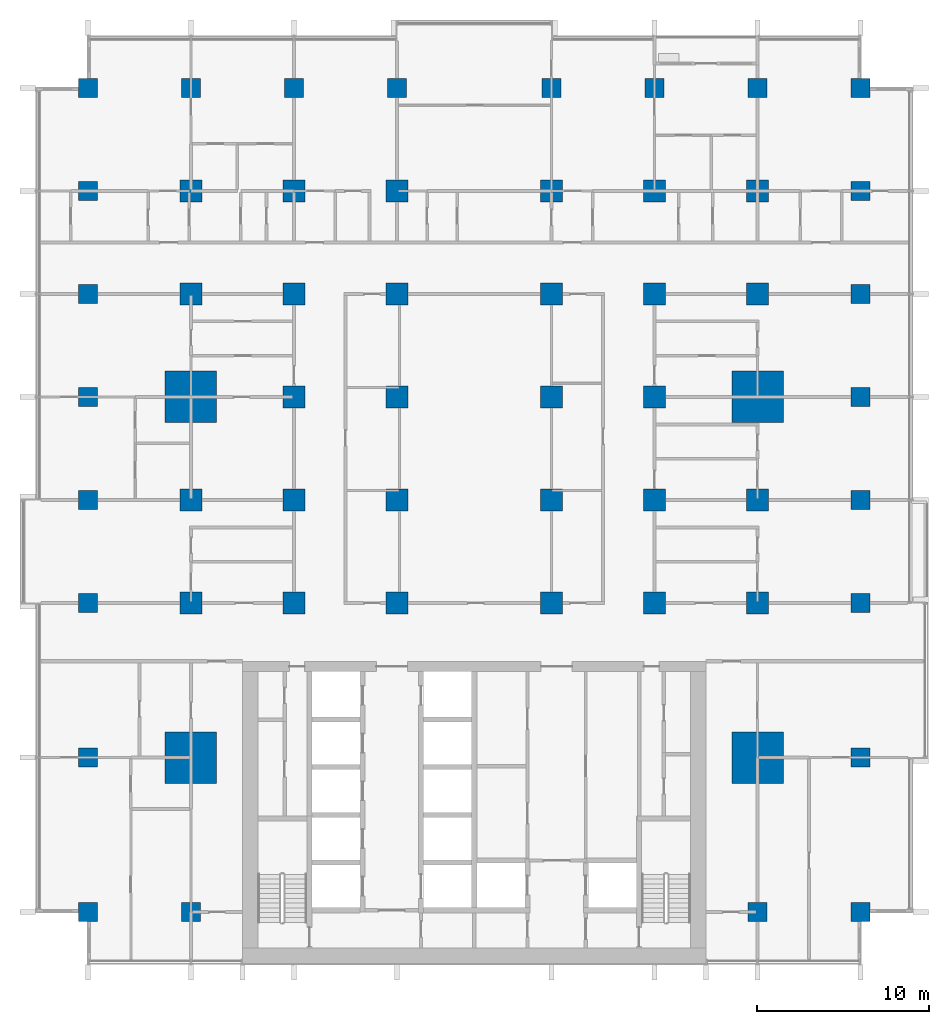
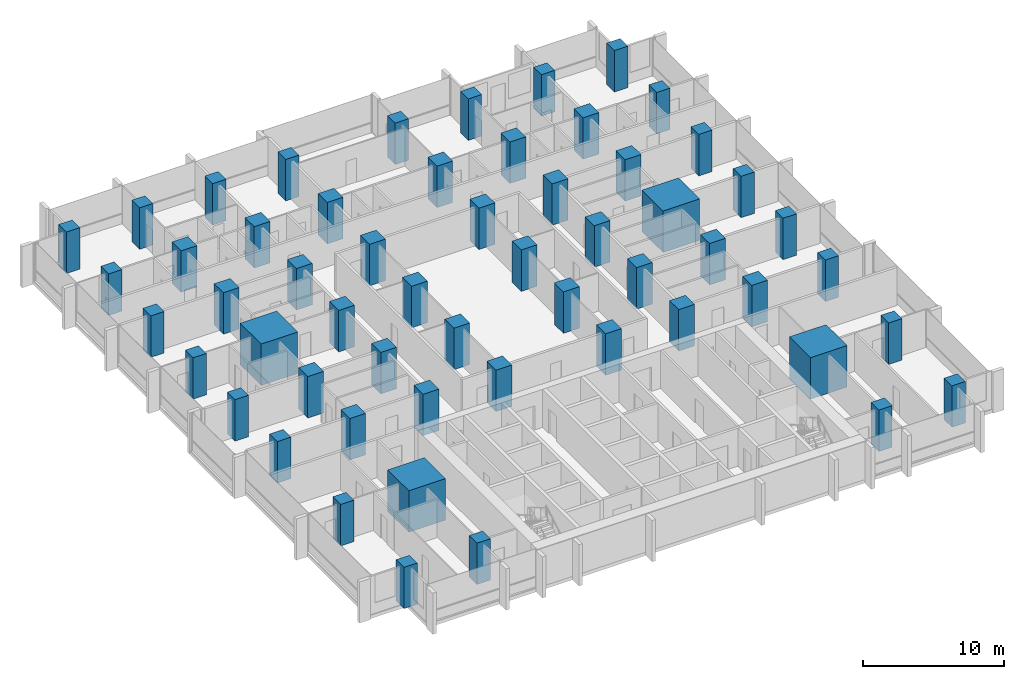
# One storey, part 1 of 18: 56 columns.
"""IFC4 building model written with IfcOpenShell, lengths in metres."""

from ifc_helpers import new_model, si_unit, direction, frame, origin, origin_2d, place, context, subcontext, project, spatial, rectangle, extrude, material, material_profile, profile_set, type_object, element, save


model = new_model("IFC4")

# Units and contexts
model_context = context("Model", 3, precision=1e-05, world=origin(), true_north=direction((0.0, 1.0)))
body_context = subcontext(model_context, "Body", "Model", "MODEL_VIEW")
ifc_project = project(units=[si_unit("LENGTHUNIT", "METRE"), si_unit("AREAUNIT", "SQUARE_METRE"), si_unit("VOLUMEUNIT", "CUBIC_METRE"), si_unit("PLANEANGLEUNIT", "RADIAN"), si_unit("MASSUNIT", "GRAM", prefix="KILO")], contexts=[model_context])

# Site, building, storey
site_placement = place(None, origin())
site = spatial("IfcSite", under=ifc_project, at=site_placement, CompositionType="ELEMENT")
building_placement = place(site_placement, origin())
building = spatial("IfcBuilding", under=site, at=building_placement, Name="Finial Court Residences", CompositionType="ELEMENT")
storey_placement = place(building_placement, frame((0.0, 0.0, 46.89990234375)))
storey = spatial("IfcBuildingStorey", under=building, at=storey_placement, Name="L10", CompositionType="ELEMENT", Elevation=46.89990234375)

# Columns
ifc_material = material(Name="Concrete C80/95", Category="concrete")
ifc_material_profile_1 = material_profile(ifc_material, rectangle(XDim=1.300048828125, YDim=1.300048828125, at=origin_2d()), Name="1300x1300")
ifc_profile_set_1 = profile_set([ifc_material_profile_1], Name="Concrete C80/95")
column_type_1 = type_object("IfcColumnType", Name="Interior column 1300x1300 Concrete C80/95", PredefinedType="COLUMN", material=ifc_profile_set_1)
for number, where, z_axis, x_axis, name in (
    (1, (-16.5, -4.5, 0.0), (0.0, 0.0, 1.0), (1.0, 0.0, 0.0), "S:COL:L10:C4"),
    (2, (-16.5, 1.5, 0.0), (0.0, 0.0, 1.0), (1.0, 0.0, 0.0), "S:COL:L10:C5"),
    (3, (-16.5, 13.5, 0.0), (0.0, 0.0, 1.0), (1.0, 0.0, 0.0), "S:COL:L10:C7"),
    (4, (-16.5, 19.5, 0.0), (0.0, 0.0, 1.0), (1.0, 0.0, 0.0), "S:COL:L10:C8"),
    (5, (-10.5, -4.5, 0.0), (0.0, 0.0, 1.0), (1.0, 0.0, 0.0), "S:COL:L10:D4"),
    (6, (-10.5, 1.5, 0.0), (0.0, 0.0, 1.0), (1.0, 0.0, 0.0), "S:COL:L10:D5"),
    (7, (-10.5, 7.5, 0.0), (0.0, 0.0, 1.0), (1.0, 0.0, 0.0), "S:COL:L10:D6"),
    (8, (-10.5, 13.5, 0.0), (0.0, 0.0, 1.0), (1.0, 0.0, 0.0), "S:COL:L10:D7"),
    (9, (-10.5, 19.5, 0.0), (0.0, 0.0, 1.0), (1.0, 0.0, 0.0), "S:COL:L10:D8"),
    (10, (-4.5, -4.5, 0.0), (0.0, 0.0, 1.0), (1.0, 0.0, 0.0), "S:COL:L10:E4"),
    (11, (-4.5, 1.5, 0.0), (0.0, 0.0, 1.0), (1.0, 0.0, 0.0), "S:COL:L10:E5"),
    (12, (-4.5, 7.5, 0.0), (0.0, 0.0, 1.0), (1.0, 0.0, 0.0), "S:COL:L10:E6"),
    (13, (-4.5, 13.5, 0.0), (0.0, 0.0, 1.0), (1.0, 0.0, 0.0), "S:COL:L10:E7"),
    (14, (-4.5, 19.5, 0.0), (0.0, 0.0, 1.0), (1.0, 0.0, 0.0), "S:COL:L10:E8"),
    (15, (4.5, -4.5, 0.0), (0.0, 0.0, 1.0), (1.0, 0.0, 0.0), "S:COL:L10:F4"),
    (16, (4.5, 1.5, 0.0), (0.0, 0.0, 1.0), (1.0, 0.0, 0.0), "S:COL:L10:F5"),
    (17, (4.5, 7.5, 0.0), (0.0, 0.0, 1.0), (1.0, 0.0, 0.0), "S:COL:L10:F6"),
    (18, (4.5, 13.5, 0.0), (0.0, 0.0, 1.0), (1.0, 0.0, 0.0), "S:COL:L10:F7"),
    (19, (4.5, 19.5, 0.0), (0.0, 0.0, 1.0), (1.0, 0.0, 0.0), "S:COL:L10:F8"),
    (20, (10.5, -4.5, 0.0), (0.0, 0.0, 1.0), (1.0, 0.0, 0.0), "S:COL:L10:G4"),
    (21, (10.5, 1.5, 0.0), (0.0, 0.0, 1.0), (1.0, 0.0, 0.0), "S:COL:L10:G5"),
    (22, (10.5, 7.5, 0.0), (0.0, 0.0, 1.0), (1.0, 0.0, 0.0), "S:COL:L10:G6"),
    (23, (10.5, 13.5, 0.0), (0.0, 0.0, 1.0), (1.0, 0.0, 0.0), "S:COL:L10:G7"),
    (24, (10.5, 19.5, 0.0), (0.0, 0.0, 1.0), (1.0, 0.0, 0.0), "S:COL:L10:G8"),
    (25, (16.5, -4.5, 0.0), (0.0, 0.0, 1.0), (1.0, 0.0, 0.0), "S:COL:L10:H4"),
    (26, (16.5, 1.5, 0.0), (0.0, 0.0, 1.0), (1.0, 0.0, 0.0), "S:COL:L10:H5"),
    (27, (16.5, 13.5, 0.0), (0.0, 0.0, 1.0), (1.0, 0.0, 0.0), "S:COL:L10:H7"),
    (28, (16.5, 19.5, 0.0), (0.0, 0.0, 1.0), (1.0, 0.0, 0.0), "S:COL:L10:H8"),
):
    element("IfcColumn", number, at=place(storey_placement, frame(where, z_axis=z_axis, x_axis=x_axis)), inside=storey, type_object=column_type_1, Name=name, PredefinedType="COLUMN", context=body_context, shape_type="SweptSolid", body=[
        extrude(rectangle(XDim=1.300048828125, YDim=1.300048828125, at=origin_2d()), origin(), (0.0, 0.0, 1.0), 3.60009765625),
    ])
ifc_material_profile_2 = material_profile(ifc_material, rectangle(XDim=3.0, YDim=3.0, at=origin_2d()), Name="3000x3000")
ifc_profile_set_2 = profile_set([ifc_material_profile_2], Name="Concrete C80/95")
column_type_2 = type_object("IfcColumnType", Name="Mega column 3000x3000 Concrete C80/95", PredefinedType="COLUMN", material=ifc_profile_set_2)
for number, where, z_axis, x_axis, name in (
    (29, (-16.5, -13.5, 0.0), (0.0, 0.0, 1.0), (1.0, 0.0, 0.0), "S:COL:L10:C3"),
    (30, (-16.5, 7.5, 0.0), (0.0, 0.0, 1.0), (1.0, 0.0, 0.0), "S:COL:L10:C6"),
    (31, (16.5, -13.5, 0.0), (0.0, 0.0, 1.0), (1.0, 0.0, 0.0), "S:COL:L10:H3"),
    (32, (16.5, 7.5, 0.0), (0.0, 0.0, 1.0), (1.0, 0.0, 0.0), "S:COL:L10:H6"),
):
    element("IfcColumn", number, at=place(storey_placement, frame(where, z_axis=z_axis, x_axis=x_axis)), inside=storey, type_object=column_type_2, Name=name, PredefinedType="COLUMN", context=body_context, shape_type="SweptSolid", body=[
        extrude(rectangle(XDim=3.0, YDim=3.0, at=origin_2d()), origin(), (0.0, 0.0, 1.0), 3.60009765625),
    ])
ifc_material_profile_3 = material_profile(ifc_material, rectangle(XDim=1.10009765625, YDim=1.10009765625, at=origin_2d()), Name="1100x1100")
ifc_profile_set_3 = profile_set([ifc_material_profile_3], Name="Concrete C80/95")
column_type_3 = type_object("IfcColumnType", Name="Perimeter column 1100x1100 Concrete C80/95", PredefinedType="COLUMN", material=ifc_profile_set_3)
for number, where, z_axis, x_axis, name in (
    (33, (-22.5, -22.5, 0.0), (0.0, 0.0, 1.0), (1.0, 0.0, 0.0), "S:COL:L10:B2"),
    (34, (-22.5, -13.5, 0.0), (0.0, 0.0, 1.0), (1.0, 0.0, 0.0), "S:COL:L10:B3"),
    (35, (-22.5, -4.5, 0.0), (0.0, 0.0, 1.0), (1.0, 0.0, 0.0), "S:COL:L10:B4"),
    (36, (-22.5, 1.5, 0.0), (0.0, 0.0, 1.0), (1.0, 0.0, 0.0), "S:COL:L10:B5"),
    (37, (-22.5, 7.5, 0.0), (0.0, 0.0, 1.0), (1.0, 0.0, 0.0), "S:COL:L10:B6"),
    (38, (-22.5, 13.5, 0.0), (0.0, 0.0, 1.0), (1.0, 0.0, 0.0), "S:COL:L10:B7"),
    (39, (-22.5, 19.5, 0.0), (0.0, 0.0, 1.0), (1.0, 0.0, 0.0), "S:COL:L10:B8"),
    (40, (-22.5, 25.5, 0.0), (0.0, 0.0, 1.0), (1.0, 0.0, 0.0), "S:COL:L10:B9"),
    (41, (-16.5, -22.5, 0.0), (0.0, 0.0, 1.0), (1.0, 0.0, 0.0), "S:COL:L10:C2"),
    (42, (-16.5, 25.5, 0.0), (0.0, 0.0, 1.0), (1.0, 0.0, 0.0), "S:COL:L10:C9"),
    (43, (-10.5, 25.5, 0.0), (0.0, 0.0, 1.0), (1.0, 0.0, 0.0), "S:COL:L10:D9"),
    (44, (-4.5, 25.5, 0.0), (0.0, 0.0, 1.0), (1.0, 0.0, 0.0), "S:COL:L10:E9"),
    (45, (4.5, 25.5, 0.0), (0.0, 0.0, 1.0), (1.0, 0.0, 0.0), "S:COL:L10:F9"),
    (46, (10.5, 25.5, 0.0), (0.0, 0.0, 1.0), (1.0, 0.0, 0.0), "S:COL:L10:G9"),
    (47, (16.5, -22.5, 0.0), (0.0, 0.0, 1.0), (1.0, 0.0, 0.0), "S:COL:L10:H2"),
    (48, (16.5, 25.5, 0.0), (0.0, 0.0, 1.0), (1.0, 0.0, 0.0), "S:COL:L10:H9"),
    (49, (22.5, -22.5, 0.0), (0.0, 0.0, 1.0), (1.0, 0.0, 0.0), "S:COL:L10:I2"),
    (50, (22.5, -13.5, 0.0), (0.0, 0.0, 1.0), (1.0, 0.0, 0.0), "S:COL:L10:I3"),
    (51, (22.5, -4.5, 0.0), (0.0, 0.0, 1.0), (1.0, 0.0, 0.0), "S:COL:L10:I4"),
    (52, (22.5, 1.5, 0.0), (0.0, 0.0, 1.0), (1.0, 0.0, 0.0), "S:COL:L10:I5"),
    (53, (22.5, 7.5, 0.0), (0.0, 0.0, 1.0), (1.0, 0.0, 0.0), "S:COL:L10:I6"),
    (54, (22.5, 13.5, 0.0), (0.0, 0.0, 1.0), (1.0, 0.0, 0.0), "S:COL:L10:I7"),
    (55, (22.5, 19.5, 0.0), (0.0, 0.0, 1.0), (1.0, 0.0, 0.0), "S:COL:L10:I8"),
    (56, (22.5, 25.5, 0.0), (0.0, 0.0, 1.0), (1.0, 0.0, 0.0), "S:COL:L10:I9"),
):
    element("IfcColumn", number, at=place(storey_placement, frame(where, z_axis=z_axis, x_axis=x_axis)), inside=storey, type_object=column_type_3, Name=name, PredefinedType="COLUMN", context=body_context, shape_type="SweptSolid", body=[
        extrude(rectangle(XDim=1.10009765625, YDim=1.10009765625, at=origin_2d()), origin(), (0.0, 0.0, 1.0), 3.60009765625),
    ])

save(model, "model.ifc")
